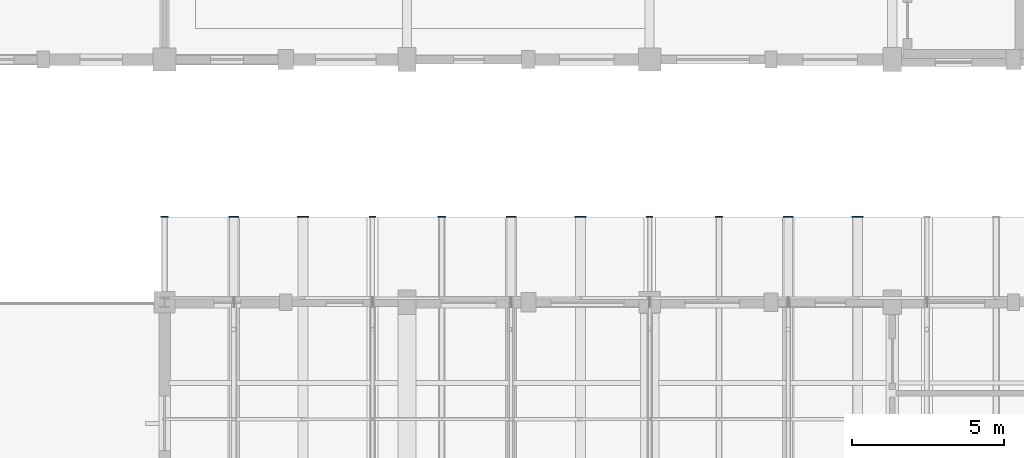
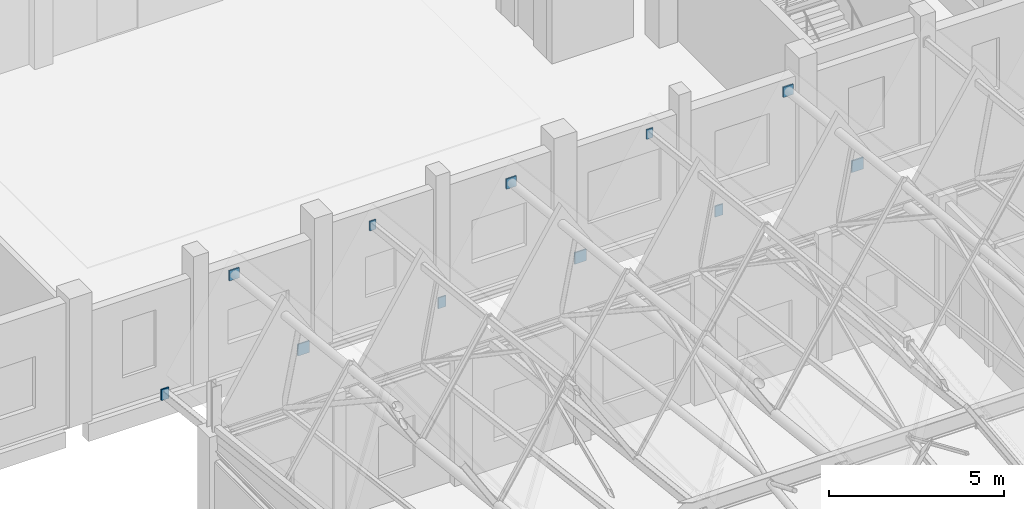
# One storey, part 63 of 77: 11 discrete accessories.
"""IFC4 building model written with IfcOpenShell, lengths in metres."""

from ifc_helpers import new_model, si_unit, direction, frame, origin, origin_2d, place, context, subcontext, project, spatial, rectangle, extrude, material, type_object, element, save


model = new_model("IFC4")

# Units and contexts
model_context = context("Model", 3, precision=1e-05, world=origin(), true_north=direction((0.0, 1.0)))
body_context = subcontext(model_context, "Body", "Model", "MODEL_VIEW")
ifc_project = project(units=[si_unit("LENGTHUNIT", "METRE"), si_unit("AREAUNIT", "SQUARE_METRE"), si_unit("VOLUMEUNIT", "CUBIC_METRE"), si_unit("PLANEANGLEUNIT", "RADIAN"), si_unit("MASSUNIT", "GRAM", prefix="KILO")], contexts=[model_context])

# Site, building, storey
site_placement = place(None, origin())
site = spatial("IfcSite", under=ifc_project, at=site_placement, CompositionType="ELEMENT")
building_placement = place(site_placement, origin())
building = spatial("IfcBuilding", under=site, at=building_placement, Name="Luwemba Playhouse", CompositionType="ELEMENT")
storey_placement = place(building_placement, frame((0.0, 0.0, 9.300048828125)))
storey = spatial("IfcBuildingStorey", under=building, at=storey_placement, Name="L02", CompositionType="ELEMENT", Elevation=9.300048828125)

# Discrete accessories
ifc_material = material(Name="Steel S355", Category="steel")
discrete_accessory_type = type_object("IfcDiscreteAccessoryType", Name="ACC-ENDCAP-S355", PredefinedType="BRACKET", material=ifc_material)
discrete_accessory_1_placement = place(storey_placement, frame((140.0, 62.81494140625, 3.806396484375), z_axis=(0.0, 0.0, 1.0), x_axis=(1.0, 0.0, 0.0)))
element("IfcDiscreteAccessory", 1, at=discrete_accessory_1_placement, inside=storey, type_object=discrete_accessory_type, Name="Welded RHS end cap plate 0200", PredefinedType="BRACKET", context=body_context, shape_type="SweptSolid", body=[
    extrude(rectangle(XDim=0.260009765625, YDim=0.044921875, at=origin_2d()), origin(), (0.0, 0.0, 1.0), 0.3798828125),
])
discrete_accessory_2_placement = place(storey_placement, frame((142.28564453125, 62.81494140625, 7.1953125), z_axis=(0.0, 0.0, 1.0), x_axis=(1.0, 0.0, 0.0)))
element("IfcDiscreteAccessory", 2, at=discrete_accessory_2_placement, inside=storey, type_object=discrete_accessory_type, Name="Welded RHS end cap plate 0204", PredefinedType="BRACKET", context=body_context, shape_type="SweptSolid", body=[
    extrude(rectangle(XDim=0.3330078125, YDim=0.044921875, at=origin_2d()), origin(), (0.0, 0.0, 1.0), 0.35302734375),
])
discrete_accessory_3_placement = place(storey_placement, frame((144.5712890625, 62.81494140625, 3.7822265625), z_axis=(0.0, 0.0, 1.0), x_axis=(1.0, 0.0, 0.0)))
element("IfcDiscreteAccessory", 3, at=discrete_accessory_3_placement, inside=storey, type_object=discrete_accessory_type, Name="Welded RHS end cap plate 0208", PredefinedType="BRACKET", context=body_context, shape_type="SweptSolid", body=[
    extrude(rectangle(XDim=0.384033203125, YDim=0.044921875, at=origin_2d()), origin(), (0.0, 0.0, 1.0), 0.404052734375),
])
discrete_accessory_4_placement = place(storey_placement, frame((146.857177734375, 62.81494140625, 7.316650390625), z_axis=(0.0, 0.0, 1.0), x_axis=(1.0, 0.0, 0.0)))
element("IfcDiscreteAccessory", 4, at=discrete_accessory_4_placement, inside=storey, type_object=discrete_accessory_type, Name="Welded RHS end cap plate 0212", PredefinedType="BRACKET", context=body_context, shape_type="SweptSolid", body=[
    extrude(rectangle(XDim=0.2099609375, YDim=0.044921875, at=origin_2d()), origin(), (0.0, 0.0, 1.0), 0.330078125),
])
discrete_accessory_5_placement = place(storey_placement, frame((149.142822265625, 62.81494140625, 3.806396484375), z_axis=(0.0, 0.0, 1.0), x_axis=(1.0, 0.0, 0.0)))
element("IfcDiscreteAccessory", 5, at=discrete_accessory_5_placement, inside=storey, type_object=discrete_accessory_type, Name="Welded RHS end cap plate 0216", PredefinedType="BRACKET", context=body_context, shape_type="SweptSolid", body=[
    extrude(rectangle(XDim=0.260009765625, YDim=0.044921875, at=origin_2d()), origin(), (0.0, 0.0, 1.0), 0.3798828125),
])
discrete_accessory_6_placement = place(storey_placement, frame((151.4287109375, 62.81494140625, 7.195068359375), z_axis=(0.0, 0.0, 1.0), x_axis=(1.0, 0.0, 0.0)))
element("IfcDiscreteAccessory", 6, at=discrete_accessory_6_placement, inside=storey, type_object=discrete_accessory_type, Name="Welded RHS end cap plate 0220", PredefinedType="BRACKET", context=body_context, shape_type="SweptSolid", body=[
    extrude(rectangle(XDim=0.3330078125, YDim=0.044921875, at=origin_2d()), origin(), (0.0, 0.0, 1.0), 0.35302734375),
])
discrete_accessory_7_placement = place(storey_placement, frame((153.71435546875, 62.81494140625, 3.78271484375), z_axis=(0.0, 0.0, 1.0), x_axis=(1.0, 0.0, 0.0)))
element("IfcDiscreteAccessory", 7, at=discrete_accessory_7_placement, inside=storey, type_object=discrete_accessory_type, Name="Welded RHS end cap plate 0224", PredefinedType="BRACKET", context=body_context, shape_type="SweptSolid", body=[
    extrude(rectangle(XDim=0.384033203125, YDim=0.044921875, at=origin_2d()), origin(), (0.0, 0.0, 1.0), 0.404052734375),
])
discrete_accessory_8_placement = place(storey_placement, frame((156.0, 62.81494140625, 7.31640625), z_axis=(0.0, 0.0, 1.0), x_axis=(1.0, 0.0, 0.0)))
element("IfcDiscreteAccessory", 8, at=discrete_accessory_8_placement, inside=storey, type_object=discrete_accessory_type, Name="Welded RHS end cap plate 0228", PredefinedType="BRACKET", context=body_context, shape_type="SweptSolid", body=[
    extrude(rectangle(XDim=0.2099609375, YDim=0.044921875, at=origin_2d()), origin(), (0.0, 0.0, 1.0), 0.330078125),
])
discrete_accessory_9_placement = place(storey_placement, frame((158.28564453125, 62.81494140625, 3.806396484375), z_axis=(0.0, 0.0, 1.0), x_axis=(1.0, 0.0, 0.0)))
element("IfcDiscreteAccessory", 9, at=discrete_accessory_9_placement, inside=storey, type_object=discrete_accessory_type, Name="Welded RHS end cap plate 0232", PredefinedType="BRACKET", context=body_context, shape_type="SweptSolid", body=[
    extrude(rectangle(XDim=0.260009765625, YDim=0.044921875, at=origin_2d()), origin(), (0.0, 0.0, 1.0), 0.3798828125),
])
discrete_accessory_10_placement = place(storey_placement, frame((160.5712890625, 62.81494140625, 7.1953125), z_axis=(0.0, 0.0, 1.0), x_axis=(1.0, 0.0, 0.0)))
element("IfcDiscreteAccessory", 10, at=discrete_accessory_10_placement, inside=storey, type_object=discrete_accessory_type, Name="Welded RHS end cap plate 0236", PredefinedType="BRACKET", context=body_context, shape_type="SweptSolid", body=[
    extrude(rectangle(XDim=0.3330078125, YDim=0.044921875, at=origin_2d()), origin(), (0.0, 0.0, 1.0), 0.35302734375),
])
discrete_accessory_11_placement = place(storey_placement, frame((162.857177734375, 62.81494140625, 3.7822265625), z_axis=(0.0, 0.0, 1.0), x_axis=(1.0, 0.0, 0.0)))
element("IfcDiscreteAccessory", 11, at=discrete_accessory_11_placement, inside=storey, type_object=discrete_accessory_type, Name="Welded RHS end cap plate 0240", PredefinedType="BRACKET", context=body_context, shape_type="SweptSolid", body=[
    extrude(rectangle(XDim=0.384033203125, YDim=0.044921875, at=origin_2d()), origin(), (0.0, 0.0, 1.0), 0.404052734375),
])

save(model, "model.ifc")
